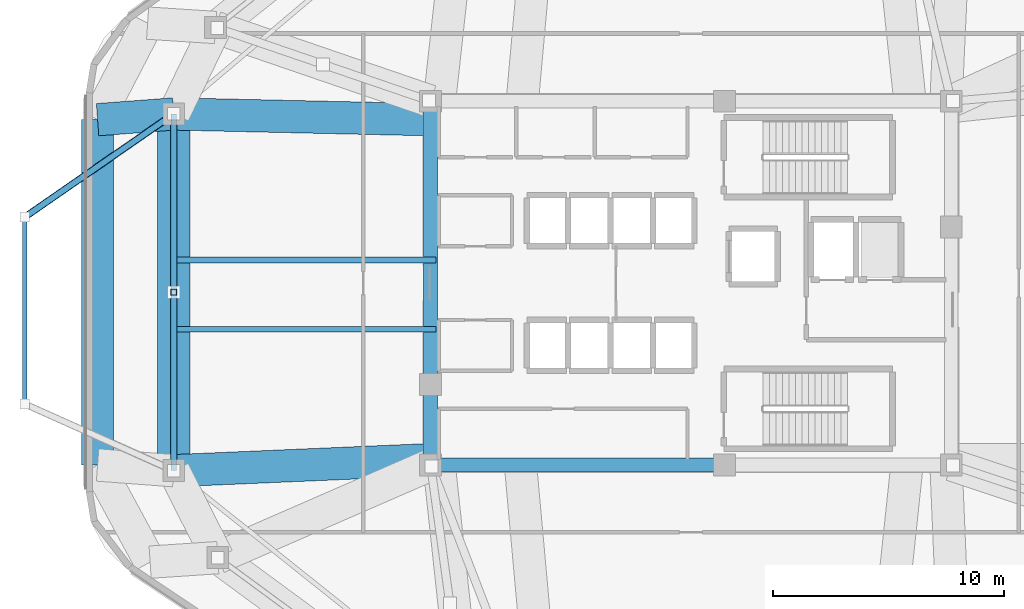
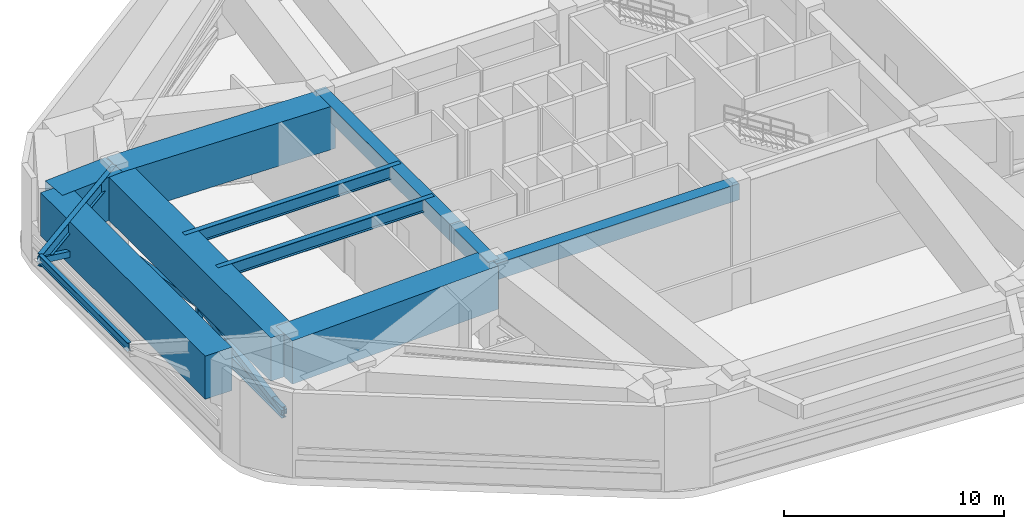
# One storey, part 3 of 13: 12 beams, 5 members.
"""IFC4 building model written with IfcOpenShell, lengths in metres."""

from ifc_helpers import new_model, si_unit, direction, frame, origin, origin_2d, place, context, subcontext, project, spatial, rectangle, hollow_rectangle, i_section, extrude, material, material_profile, profile_set, type_object, element, save


model = new_model("IFC4")

# Units and contexts
model_context = context("Model", 3, precision=1e-05, world=origin(), true_north=direction((0.0, 1.0)))
body_context = subcontext(model_context, "Body", "Model", "MODEL_VIEW")
ifc_project = project(units=[si_unit("LENGTHUNIT", "METRE"), si_unit("AREAUNIT", "SQUARE_METRE"), si_unit("VOLUMEUNIT", "CUBIC_METRE"), si_unit("PLANEANGLEUNIT", "RADIAN"), si_unit("MASSUNIT", "GRAM", prefix="KILO")], contexts=[model_context])

# Site, building, storey
site_placement = place(None, origin())
site = spatial("IfcSite", under=ifc_project, at=site_placement, CompositionType="ELEMENT")
building_placement = place(site_placement, origin())
building = spatial("IfcBuilding", under=site, at=building_placement, Name="Zulverin Broadcast Headquarters", CompositionType="ELEMENT")
storey_placement = place(building_placement, frame((0.0, 0.0, 220.0)))
storey = spatial("IfcBuildingStorey", under=building, at=storey_placement, Name="L56", CompositionType="ELEMENT", Elevation=220.0)

# Beams
ifc_material_1 = material(Name="Concrete C60/75", Category="concrete")
ifc_material_profile_1 = material_profile(ifc_material_1, rectangle(XDim=0.60009765625, YDim=0.89990234375, at=origin_2d()), Name="Concrete C60/75", Category="concrete")
ifc_profile_set_1 = profile_set([ifc_material_profile_1], Name="Concrete C60/75")
beam_type_1 = type_object("IfcBeamType", Name="BM-CB-600x900", PredefinedType="LINTEL", material=ifc_profile_set_1)
beam_1_placement = place(storey_placement, frame((25.72509765625, 17.324951171875, 4.260009765625), z_axis=(1.0, 0.0, 0.0), x_axis=(0.0, 1.0, 0.0)))
element("IfcBeam", 1, at=beam_1_placement, inside=storey, type_object=beam_type_1, Name="L56 Core Coupling Girder K01-K02", PredefinedType="LINTEL", context=body_context, shape_type="SweptSolid", body=[
    extrude(rectangle(XDim=0.60009765625, YDim=0.89990234375, at=origin_2d()), origin(), (0.0, 0.0, 1.0), 12.724853515625),
])
beam_2_placement = place(storey_placement, frame((25.72509765625, 33.074951171875, 4.260009765625), z_axis=(0.0, -1.0, 0.0), x_axis=(1.0, 0.0, 0.0)))
element("IfcBeam", 2, at=beam_2_placement, inside=storey, type_object=beam_type_1, Name="L56 Core Coupling Girder K07-K08", PredefinedType="LINTEL", context=body_context, shape_type="SweptSolid", body=[
    extrude(rectangle(XDim=0.60009765625, YDim=0.89990234375, at=origin_2d()), origin(), (0.0, 0.0, 1.0), 12.27490234375),
])
beam_3_placement = place(storey_placement, frame((25.72509765625, 20.800048828125, 4.260009765625), z_axis=(0.0, -1.0, 0.0), x_axis=(1.0, 0.0, 0.0)))
element("IfcBeam", 3, at=beam_3_placement, inside=storey, type_object=beam_type_1, Name="L56 Core Coupling Girder K08-K01", PredefinedType="LINTEL", context=body_context, shape_type="SweptSolid", body=[
    extrude(rectangle(XDim=0.60009765625, YDim=0.89990234375, at=origin_2d()), origin(), (0.0, 0.0, 1.0), 3.47509765625),
])
ifc_material_profile_2 = material_profile(ifc_material_1, rectangle(XDim=1.39990234375, YDim=2.39990234375, at=origin_2d()), Name="Concrete C60/75", Category="concrete")
ifc_profile_set_2 = profile_set([ifc_material_profile_2], Name="Concrete C60/75")
beam_type_2 = type_object("IfcBeamType", Name="BM-TG-1400x2400", PredefinedType="USERDEFINED", material=ifc_profile_set_2)
beam_4_placement = place(storey_placement, frame((14.60009765625, 32.523193359375, 3.510009765625), z_axis=(0.0, -1.0, 0.0), x_axis=(1.0, 0.0, 0.0)))
element("IfcBeam", 4, at=beam_4_placement, inside=storey, type_object=beam_type_2, Name="L56 Perimeter Transfer Ring Girder SP-13", ObjectType="TRANSFER GIRDER", PredefinedType="USERDEFINED", context=body_context, shape_type="SweptSolid", body=[
    extrude(rectangle(XDim=1.39990234375, YDim=2.39990234375, at=origin_2d()), origin(), (0.0, 0.0, 1.0), 15.451171875),
])
beam_5_placement = place(storey_placement, frame((25.675048828125, 32.275390625, 3.510009765625), z_axis=(-0.999749772222, 0.022369464515, 0.0), x_axis=(-0.022369464515, -0.999749772222, 0.0)))
element("IfcBeam", 5, at=beam_5_placement, inside=storey, type_object=beam_type_2, Name="L57 Inner Transfer Back-Span Girder TGI-13", ObjectType="TRANSFER GIRDER", PredefinedType="USERDEFINED", context=body_context, shape_type="SweptSolid", body=[
    extrude(rectangle(XDim=1.39990234375, YDim=2.39990234375, at=origin_2d()), origin(), (0.0, 0.0, 1.0), 11.07763671875),
])
beam_6_placement = place(storey_placement, frame((14.60009765625, 32.523193359375, 3.510009765625), z_axis=(-0.997192565837, -0.074879814628, 0.0), x_axis=(0.074879814628, -0.997192565837, 0.0)))
element("IfcBeam", 6, at=beam_6_placement, inside=storey, type_object=beam_type_2, Name="L57 Column-Framed Step Cantilever Girder TGO-13", ObjectType="TRANSFER GIRDER", PredefinedType="USERDEFINED", context=body_context, shape_type="SweptSolid", body=[
    extrude(rectangle(XDim=1.39990234375, YDim=2.39990234375, at=origin_2d()), origin(), (0.0, 0.0, 1.0), 3.309326171875),
])
beam_7_placement = place(storey_placement, frame((11.300048828125, 32.275390625, 3.510009765625), z_axis=(0.0, -1.0, 0.0), x_axis=(1.0, 0.0, 0.0)))
element("IfcBeam", 7, at=beam_7_placement, inside=storey, type_object=beam_type_2, Name="L57 Step Transfer Ring Girder TGR-13", ObjectType="TRANSFER GIRDER", PredefinedType="USERDEFINED", context=body_context, shape_type="SweptSolid", body=[
    extrude(rectangle(XDim=1.39990234375, YDim=2.39990234375, at=origin_2d()), origin(), (0.0, 0.0, 1.0), 14.956787109375),
])
beam_8_placement = place(storey_placement, frame((25.675048828125, 17.550048828125, 3.510009765625), z_axis=(-0.999069780306, -0.043122779134, 0.0), x_axis=(0.043122779134, -0.999069780306, 0.0)))
element("IfcBeam", 8, at=beam_8_placement, inside=storey, type_object=beam_type_2, Name="L57 Inner Transfer Back-Span Girder TGI-14", ObjectType="TRANSFER GIRDER", PredefinedType="USERDEFINED", context=body_context, shape_type="SweptSolid", body=[
    extrude(rectangle(XDim=1.39990234375, YDim=2.39990234375, at=origin_2d()), origin(), (0.0, 0.0, 1.0), 11.085205078125),
])
ifc_material_2 = material(Name="Structural steel S355JR", Category="steel")
ifc_material_profile_3 = material_profile(ifc_material_2, i_section(OverallWidth=0.19287109375, OverallDepth=0.46728515625, WebThickness=0.011474609375, FlangeThickness=0.01953125, at=origin_2d()), Name="Structural steel S355JR", Category="steel")
ifc_profile_set_3 = profile_set([ifc_material_profile_3], Name="Structural steel S355JR")
beam_type_3 = type_object("IfcBeamType", Name="BM-UB-457", PredefinedType="JOIST", material=ifc_profile_set_3)
beam_9_placement = place(storey_placement, frame((8.14990234375, 19.9599609375, 4.476318359375), z_axis=(0.0, 1.0, 0.0), x_axis=(-1.0, 0.0, 0.0)))
element("IfcBeam", 9, at=beam_9_placement, inside=storey, type_object=beam_type_3, Name="L57 Studio Box Base Edge Beam SBOX_SKY2_W", PredefinedType="JOIST", context=body_context, shape_type="SweptSolid", body=[
    extrude(i_section(OverallWidth=0.19287109375, OverallDepth=0.46728515625, WebThickness=0.011474609375, FlangeThickness=0.01953125, at=origin_2d()), origin(), (0.0, 0.0, 1.0), 8.10009765625),
])
ifc_material_profile_4 = material_profile(ifc_material_2, i_section(OverallWidth=0.255859375, OverallDepth=0.69287109375, WebThickness=0.014404296875, FlangeThickness=0.023681640625, at=origin_2d()), Name="Structural steel S355JR", Category="steel")
ifc_profile_set_4 = profile_set([ifc_material_profile_4], Name="Structural steel S355JR")
beam_type_4 = type_object("IfcBeamType", Name="BM-UB-686", PredefinedType="BEAM", material=ifc_profile_set_4)
beam_10_placement = place(storey_placement, frame((14.60009765625, 32.523193359375, 4.363525390625), z_axis=(-0.822334471521, -0.569004408549, 0.0), x_axis=(0.569004408549, -0.822334471521, 0.0)))
element("IfcBeam", 10, at=beam_10_placement, inside=storey, type_object=beam_type_4, Name="L57 Studio Box Base Cantilever Girder SBOX_SKY2_W-2", PredefinedType="BEAM", context=body_context, shape_type="SweptSolid", body=[
    extrude(i_section(OverallWidth=0.255859375, OverallDepth=0.69287109375, WebThickness=0.014404296875, FlangeThickness=0.023681640625, at=origin_2d()), origin(), (0.0, 0.0, 1.0), 7.84375),
])
for number, where, z_axis, x_axis, name in (
    (11, (14.60009765625, 23.199951171875, 4.363525390625), (1.0, 0.0, 0.0), (0.0, 1.0, 0.0), "L57 Sky Stair Support Span Girder 1"),
    (12, (14.60009765625, 26.199951171875, 4.363525390625), (1.0, 0.0, 0.0), (0.0, 1.0, 0.0), "L57 Sky Stair Support Span Girder 2"),
):
    element("IfcBeam", number, at=place(storey_placement, frame(where, z_axis=z_axis, x_axis=x_axis)), inside=storey, type_object=beam_type_4, Name=name, PredefinedType="BEAM", context=body_context, shape_type="SweptSolid", body=[
        extrude(i_section(OverallWidth=0.255859375, OverallDepth=0.69287109375, WebThickness=0.014404296875, FlangeThickness=0.023681640625, at=origin_2d()), origin(), (0.0, 0.0, 1.0), 11.349853515625),
    ])

# Members
ifc_material_profile_5 = material_profile(ifc_material_2, i_section(OverallWidth=0.230224609375, OverallDepth=0.6171875, WebThickness=0.01318359375, FlangeThickness=0.022216796875, at=origin_2d()), Name="Structural steel S355JR", Category="steel")
ifc_profile_set_5 = profile_set([ifc_material_profile_5], Name="Structural steel S355JR")
member_type_1 = type_object("IfcMemberType", Name="MBR-BLT-CHORD", PredefinedType="CHORD", material=ifc_profile_set_5)
member_1_placement = place(storey_placement, frame((14.60009765625, 32.523193359375, 0.35009765625), z_axis=(0.0, -1.0, 0.0), x_axis=(1.0, 0.0, 0.0)))
element("IfcMember", 13, at=member_1_placement, inside=storey, type_object=member_type_1, Name="L56 Belt Truss Bottom Chord BC-07", PredefinedType="CHORD", context=body_context, shape_type="SweptSolid", body=[
    extrude(i_section(OverallWidth=0.230224609375, OverallDepth=0.6171875, WebThickness=0.01318359375, FlangeThickness=0.022216796875, at=origin_2d()), origin(), (0.0, 0.0, 1.0), 15.451171875),
])
ifc_material_profile_6 = material_profile(ifc_material_2, hollow_rectangle(XDim=0.300048828125, YDim=0.300048828125, WallThickness=0.01611328125, at=origin_2d()), Name="Structural steel S355JR", Category="steel")
ifc_profile_set_6 = profile_set([ifc_material_profile_6], Name="Structural steel S355JR")
member_type_2 = type_object("IfcMemberType", Name="MBR-BLT-DIAG1", PredefinedType="BRACE", material=ifc_profile_set_6)
member_2_placement = place(storey_placement, frame((14.60009765625, 32.523193359375, 0.35009765625), z_axis=(-0.730309507316, -0.505328845694, 0.459663769764), x_axis=(0.569004408549, -0.822334471521, 0.0)))
element("IfcMember", 14, at=member_2_placement, inside=storey, type_object=member_type_2, Name="L57 Studio Box Base Knee Brace SBOX_SKY2_W-2", PredefinedType="BRACE", context=body_context, shape_type="SweptSolid", body=[
    extrude(hollow_rectangle(XDim=0.300048828125, YDim=0.300048828125, WallThickness=0.01611328125, at=origin_2d()), origin(), (0.0, 0.0, 1.0), 8.83203125),
])
for number, where, z_axis, x_axis, name in (
    (15, (14.60009765625, 32.523193359375, 0.35009765625), (0.0, -0.985506291135, 0.169638881551), (1.0, 0.0, 0.0), "L56 Belt Truss Diagonal Brace BD-07A"),
    (16, (14.60009765625, 17.072021484375, 0.35009765625), (0.0, 0.985506291135, 0.169638881551), (-1.0, 0.0, 0.0), "L56 Belt Truss Diagonal Brace BD-07B"),
):
    element("IfcMember", number, at=place(storey_placement, frame(where, z_axis=z_axis, x_axis=x_axis)), inside=storey, type_object=member_type_2, Name=name, PredefinedType="BRACE", context=body_context, shape_type="SweptSolid", body=[
        extrude(hollow_rectangle(XDim=0.300048828125, YDim=0.300048828125, WallThickness=0.01611328125, at=origin_2d()), origin(), (0.0, 0.0, 1.0), 7.839111328125),
    ])
ifc_material_profile_7 = material_profile(ifc_material_2, hollow_rectangle(XDim=0.25, YDim=0.25, WallThickness=0.01611328125, at=origin_2d()), Name="Structural steel S355JR", Category="steel")
ifc_profile_set_7 = profile_set([ifc_material_profile_7], Name="Structural steel S355JR")
member_type_3 = type_object("IfcMemberType", Name="MBR-BLT-POST", PredefinedType="POST", material=ifc_profile_set_7)
member_3_placement = place(storey_placement, frame((14.60009765625, 24.797607421875, 0.35009765625), z_axis=(0.0, 0.0, 1.0), x_axis=(1.0, 0.0, 0.0)))
element("IfcMember", 17, at=member_3_placement, inside=storey, type_object=member_type_3, Name="L56 Belt Truss King Post BP-07", PredefinedType="POST", context=body_context, shape_type="SweptSolid", body=[
    extrude(hollow_rectangle(XDim=0.25, YDim=0.25, WallThickness=0.01611328125, at=origin_2d()), origin(), (0.0, 0.0, 1.0), 1.329833984375),
])

save(model, "model.ifc")
